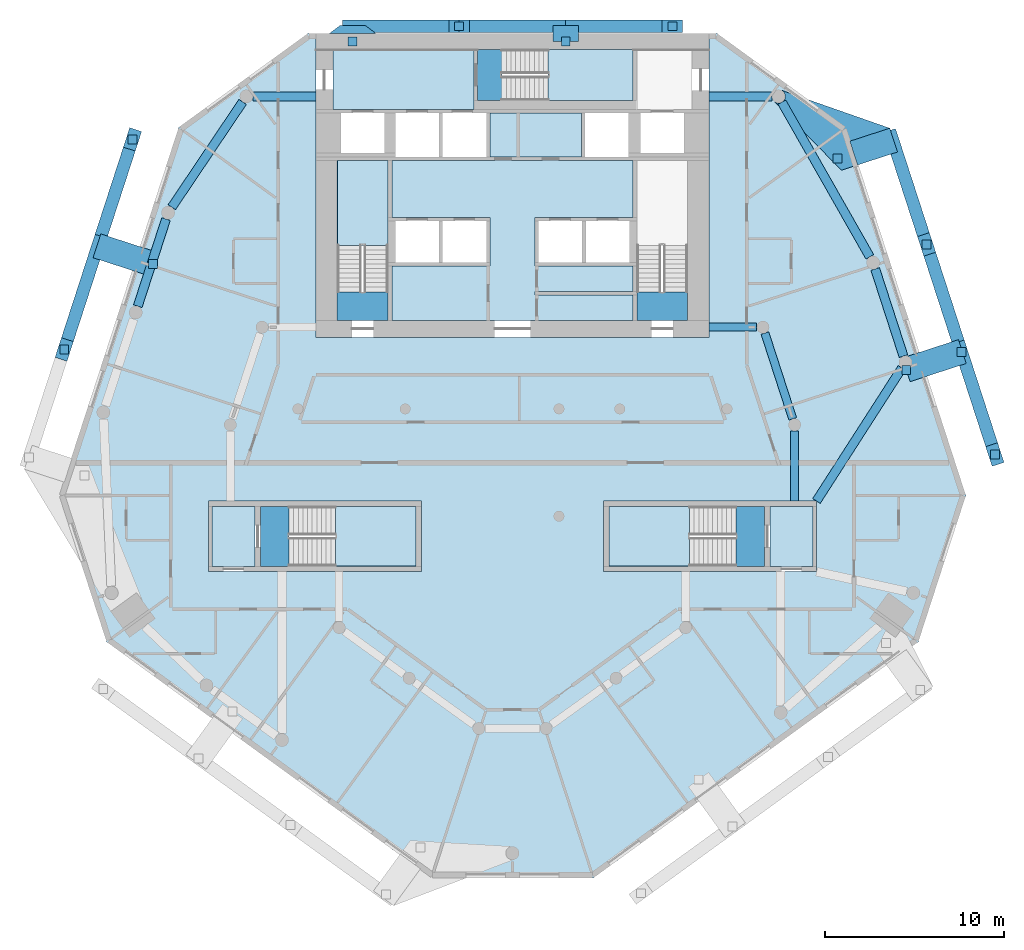
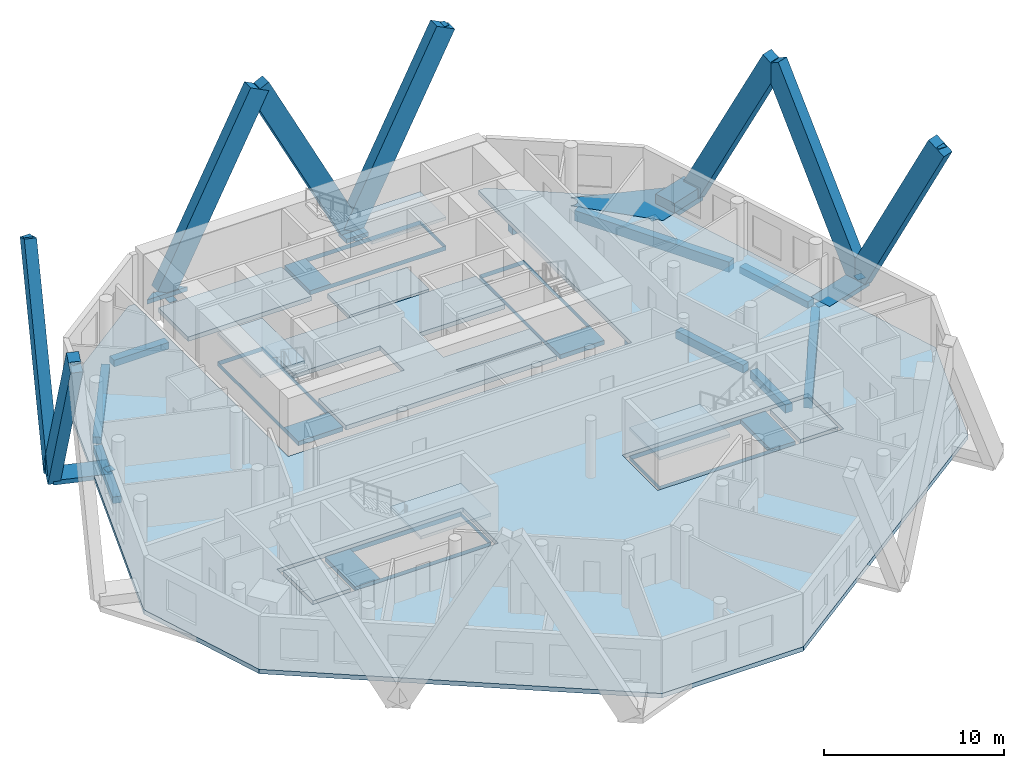
# One storey, part 2 of 10: 15 slabs, 14 members, 12 discrete accessories, 10 beams, 4 elements without a shape of their own.
"""IFC4 building model written with IfcOpenShell, lengths in metres."""

from ifc_helpers import new_model, si_unit, direction, frame, origin, origin_2d, place, context, subcontext, project, spatial, polyline, rectangle, outline, extrude, material, layer, layer_set, material_profile, profile_set, type_object, element, aggregate, save


model = new_model("IFC4")

# Units and contexts
model_context = context("Model", 3, precision=1e-05, world=origin(), true_north=direction((0.0, 1.0)))
body_context = subcontext(model_context, "Body", "Model", "MODEL_VIEW")
ifc_project = project(units=[si_unit("LENGTHUNIT", "METRE"), si_unit("AREAUNIT", "SQUARE_METRE"), si_unit("VOLUMEUNIT", "CUBIC_METRE"), si_unit("PLANEANGLEUNIT", "RADIAN"), si_unit("MASSUNIT", "GRAM", prefix="KILO")], contexts=[model_context])

# Site, building, storey
site_placement = place(None, origin())
site = spatial("IfcSite", under=ifc_project, at=site_placement, CompositionType="ELEMENT")
building_placement = place(site_placement, origin())
building = spatial("IfcBuilding", under=site, at=building_placement, Name="White Candle Pilgrim Tower", CompositionType="ELEMENT")
storey_placement = place(building_placement, frame((0.0, 0.0, 160.300048828125)))
storey = spatial("IfcBuildingStorey", under=building, at=storey_placement, Name="L36", CompositionType="ELEMENT", Elevation=160.300048828125)

# Member
ifc_material_1 = material(Name="Concrete C70/85, white", Category="concrete")
ifc_material_profile_1 = material_profile(ifc_material_1, rectangle(XDim=0.699951171875, YDim=1.300048828125, at=origin_2d()), Name="RC-DG 700x1300")
ifc_profile_set_1 = profile_set([ifc_material_profile_1], Name="Concrete C70/85, white")
member_type_1 = type_object("IfcMemberType", Name="Exoskeleton diagonal RC-DG 700x1300 C70/85", PredefinedType="BRACE", material=ifc_profile_set_1)
member_1_placement = place(storey_placement, frame((72.97900390625, 88.39990234375, 0.0), z_axis=(0.453783992732, 0.0, 0.891111714624), x_axis=(0.0, 1.0, 0.0)))
member_1 = element("IfcMember", 1, at=member_1_placement, inside=storey, type_object=member_type_1, Name="Exoskeleton diagonal EX124", PredefinedType="BRACE", context=body_context, shape_type="SweptSolid", body=[
    extrude(rectangle(XDim=0.699951171875, YDim=1.300048828125, at=origin_2d()), origin(), (0.0, 0.0, 1.0), 13.129638671875),
])

member_2_placement = place(storey_placement, frame((72.97900390625, 88.39990234375, 0.0), z_axis=(-0.453783992732, 0.0, 0.891111714624), x_axis=(0.0, -1.0, 0.0)))
member_2 = element("IfcMember", 2, at=member_2_placement, inside=storey, type_object=member_type_1, Name="Exoskeleton diagonal EX125", PredefinedType="BRACE", context=body_context, shape_type="SweptSolid", body=[
    extrude(rectangle(XDim=0.699951171875, YDim=1.300048828125, at=origin_2d()), origin(), (0.0, 0.0, 1.0), 13.129638671875),
])

member_3_placement = place(storey_placement, frame((61.06298828125, 88.39990234375, 0.0), z_axis=(0.453783992732, 0.0, 0.891111714624), x_axis=(0.0, 1.0, 0.0)))
element("IfcMember", 3, at=member_3_placement, inside=storey, type_object=member_type_1, Name="Exoskeleton diagonal EX126", PredefinedType="BRACE", context=body_context, shape_type="SweptSolid", body=[
    extrude(rectangle(XDim=0.699951171875, YDim=1.300048828125, at=origin_2d()), origin(), (0.0, 0.0, 1.0), 13.129638671875),
])

member_4_placement = place(storey_placement, frame((95.110595703125, 70.192626953125, 0.0), z_axis=(0.141705771197, -0.436168954473, 0.888637224948), x_axis=(0.951065559952, 0.308989159474, 0.0)))
member_4 = element("IfcMember", 4, at=member_4_placement, inside=storey, type_object=member_type_1, Name="Exoskeleton diagonal EX136", PredefinedType="BRACE", context=body_context, shape_type="SweptSolid", body=[
    extrude(rectangle(XDim=0.699951171875, YDim=1.300048828125, at=origin_2d()), origin(), (0.0, 0.0, 1.0), 13.166259765625),
])

member_5_placement = place(storey_placement, frame((95.110595703125, 70.192626953125, 0.0), z_axis=(-0.14680379718, 0.451795801077, 0.879959771389), x_axis=(-0.951052530363, -0.309029261543, 0.0)))
member_5 = element("IfcMember", 5, at=member_5_placement, inside=storey, type_object=member_type_1, Name="Exoskeleton diagonal EX137", PredefinedType="BRACE", context=body_context, shape_type="SweptSolid", body=[
    extrude(rectangle(XDim=0.699951171875, YDim=1.300048828125, at=origin_2d()), origin(), (0.0, 0.0, 1.0), 13.2958984375),
])

member_6_placement = place(storey_placement, frame((91.268310546875, 82.01708984375, 0.0), z_axis=(0.14318423744, -0.440629473038, 0.886196333573), x_axis=(0.951046973632, 0.30904636213, 0.0)))
element("IfcMember", 6, at=member_6_placement, inside=storey, type_object=member_type_1, Name="Exoskeleton diagonal EX138", PredefinedType="BRACE", context=body_context, shape_type="SweptSolid", body=[
    extrude(rectangle(XDim=0.699951171875, YDim=1.300048828125, at=origin_2d()), origin(), (0.0, 0.0, 1.0), 13.202392578125),
])

member_7_placement = place(storey_placement, frame((46.810546875, 76.10498046875, 0.0), z_axis=(0.146090322328, 0.449616181444, 0.88119402353), x_axis=(-0.951055789428, 0.309019231433, 0.0)))
member_7 = element("IfcMember", 7, at=member_7_placement, inside=storey, type_object=member_type_1, Name="Exoskeleton diagonal EX172", PredefinedType="BRACE", context=body_context, shape_type="SweptSolid", body=[
    extrude(rectangle(XDim=0.699951171875, YDim=1.300048828125, at=origin_2d()), origin(), (0.0, 0.0, 1.0), 13.27734375),
])

member_8_placement = place(storey_placement, frame((46.810546875, 76.10498046875, 0.0), z_axis=(-0.142437449306, -0.438404395777, 0.887419381577), x_axis=(0.951062109982, -0.308999778246, 0.0)))
member_8 = element("IfcMember", 8, at=member_8_placement, inside=storey, type_object=member_type_1, Name="Exoskeleton diagonal EX173", PredefinedType="BRACE", context=body_context, shape_type="SweptSolid", body=[
    extrude(rectangle(XDim=0.699951171875, YDim=1.300048828125, at=origin_2d()), origin(), (0.0, 0.0, 1.0), 13.184326171875),
])

ifc_layer_1 = layer(ifc_material_1, 0.300048828125)
ifc_layer_set_1 = layer_set([ifc_layer_1], Name="Node tie strut 3300x1400x300 C70/85")
member_type_2 = type_object("IfcMemberType", Name="Node tie strut 3300x1400x300 C70/85", PredefinedType="STRUT", material=ifc_layer_set_1)
member_9_placement = place(storey_placement, frame((93.5888671875, 69.697998046875, -0.30029296875), z_axis=(0.0, 0.0, 1.0), x_axis=(-0.309016994375, 0.951056516295, 0.0)))
member_9 = element("IfcMember", 9, at=member_9_placement, inside=storey, type_object=member_type_2, Name="Node tie strut NC111", PredefinedType="STRUT", context=body_context, shape_type="SweptSolid", body=[
    extrude(rectangle(XDim=1.39990234375, YDim=3.300048828125, at=origin_2d()), origin(), (0.0, 0.0, 1.0), 0.300048828125),
])

member_10_placement = place(storey_placement, frame((0.0, 0.0, -0.35009765625)))
member_10 = element("IfcMember", 10, at=member_10_placement, inside=storey, type_object=member_type_2, Name="Node tie strut NC112", PredefinedType="STRUT", context=body_context, shape_type="SweptSolid", body=[
    extrude(outline(polyline([(88.393798828125, 80.34716796875), (91.532470703125, 81.366943359375), (91.099609375, 82.698486328125), (85.00048828125, 84.835205078125), (85.0234375, 84.826416015625), (85.0458984375, 84.81640625), (85.0673828125, 84.8046875), (85.08837890625, 84.791748046875), (85.1083984375, 84.777587890625), (85.127197265625, 84.761962890625), (85.145263671875, 84.7451171875), (85.161865234375, 84.727294921875), (85.177490234375, 84.708251953125), (85.19189453125, 84.688232421875), (85.204833984375, 84.66748046875), (85.21630859375, 84.64599609375), (85.2265625, 84.62353515625), (85.235107421875, 84.6005859375), (85.2421875, 84.5771484375), (85.247802734375, 84.55322265625), (85.251708984375, 84.52880859375), (85.254150390625, 84.50439453125), (85.2548828125, 84.47998046875), (85.254150390625, 84.45556640625), (85.251708984375, 84.43115234375), (85.247802734375, 84.40673828125), (85.2421875, 84.3828125), (85.235107421875, 84.359619140625), (85.2265625, 84.33642578125), (85.21630859375, 84.314208984375), (85.204833984375, 84.29248046875), (85.19189453125, 84.271728515625), (85.177490234375, 84.251708984375), (85.161865234375, 84.232666015625), (85.145263671875, 84.21484375), (85.127197265625, 84.197998046875), (85.1083984375, 84.1826171875), (85.08837890625, 84.168212890625), (85.0673828125, 84.1552734375), (85.0458984375, 84.143798828125), (85.0234375, 84.133544921875), (85.00048828125, 84.125), (84.97705078125, 84.117919921875), (84.953125, 84.1123046875), (84.928955078125, 84.108154296875), (84.904541015625, 84.105712890625), (84.8798828125, 84.10498046875), (84.85546875, 84.105712890625), (84.8310546875, 84.108154296875), (84.806884765625, 84.1123046875), (84.782958984375, 84.117919921875), (84.759521484375, 84.125), (84.736572265625, 84.133544921875), (84.714111328125, 84.143798828125), (84.6923828125, 84.1552734375), (84.671630859375, 84.168212890625), (84.651611328125, 84.1826171875), (84.6328125, 84.197998046875), (84.61474609375, 84.21484375), (88.393798828125, 80.34716796875)])), origin(), (0.0, 0.0, 1.0), 0.35009765625),
])

member_11_placement = place(storey_placement, origin())
element("IfcMember", 11, at=member_11_placement, inside=storey, type_object=member_type_2, Name="Node tie strut NC112", PredefinedType="STRUT", context=body_context, shape_type="SweptSolid", body=[
    extrude(outline(polyline([(89.29736328125, 80.640625), (91.532470703125, 81.366943359375), (91.099609375, 82.698486328125), (88.86474609375, 81.97216796875), (89.29736328125, 80.640625)])), origin(), (0.0, 0.0, 1.0), 0.64990234375),
])

member_12_placement = place(storey_placement, frame((48.332275390625, 75.610595703125, -0.30029296875), z_axis=(0.0, 0.0, 1.0), x_axis=(-0.309016994375, -0.951056516295, 0.0)))
member_12 = element("IfcMember", 12, at=member_12_placement, inside=storey, type_object=member_type_2, Name="Node tie strut NC119", PredefinedType="STRUT", context=body_context, shape_type="SweptSolid", body=[
    extrude(rectangle(XDim=1.39990234375, YDim=3.300048828125, at=origin_2d()), origin(), (0.0, 0.0, 1.0), 0.300048828125),
])

ifc_layer_2 = layer(ifc_material_1, 0.300048828125)
ifc_layer_set_2 = layer_set([ifc_layer_2], Name="Node tie strut 900x1400x300 C70/85")
member_type_3 = type_object("IfcMemberType", Name="Node tie strut 900x1400x300 C70/85", PredefinedType="STRUT", material=ifc_layer_set_2)
member_13_placement = place(storey_placement, frame((72.97900390625, 88.0, -0.30029296875), z_axis=(0.0, 0.0, 1.0), x_axis=(-1.0, 0.0, 0.0)))
member_13 = element("IfcMember", 13, at=member_13_placement, inside=storey, type_object=member_type_3, Name="Node tie strut NC113", PredefinedType="STRUT", context=body_context, shape_type="SweptSolid", body=[
    extrude(rectangle(XDim=1.39990234375, YDim=0.89990234375, at=origin_2d()), origin(), (0.0, 0.0, 1.0), 0.300048828125),
])

member_14_placement = place(storey_placement, frame((0.0, 0.0, -0.300048828125)))
member_14 = element("IfcMember", 14, at=member_14_placement, inside=storey, type_object=member_type_3, Name="Node tie strut NC114", PredefinedType="STRUT", context=body_context, shape_type="SweptSolid", body=[
    extrude(outline(polyline([(59.762939453125, 88.0), (62.363037109375, 88.0), (61.762939453125, 88.449951171875), (60.363037109375, 88.449951171875), (59.762939453125, 88.0)])), origin(), (0.0, 0.0, 1.0), 0.300048828125),
])

# Beams
ifc_material_2 = material(Name="Concrete C50/60", Category="concrete")
ifc_material_profile_2 = material_profile(ifc_material_2, rectangle(XDim=0.449951171875, YDim=0.550048828125, at=origin_2d()), Name="RC-BM 450x550")
ifc_profile_set_2 = profile_set([ifc_material_profile_2], Name="Concrete C50/60")
beam_type_1 = type_object("IfcBeamType", Name="Ring beam RC-BM 450x550 C50/60", PredefinedType="BEAM", material=ifc_profile_set_2)
beam_1_placement = place(storey_placement, frame((85.780029296875, 65.760009765625, -0.574951171875), z_axis=(0.0, -1.0, 0.0), x_axis=(1.0, 0.0, 0.0)))
element("IfcBeam", 15, at=beam_1_placement, inside=storey, type_object=beam_type_1, Name="L36 ring beam R07", PredefinedType="BEAM", context=body_context, shape_type="SweptSolid", body=[
    extrude(rectangle(XDim=0.449951171875, YDim=0.550048828125, at=origin_2d()), origin(), (0.0, 0.0, 1.0), 3.909912109375),
])
beam_2_placement = place(storey_placement, frame((85.672119140625, 66.44287109375, -0.574951171875), z_axis=(-0.308369651752, 0.95126660715, 0.0), x_axis=(-0.95126660715, -0.308369651752, 0.0)))
element("IfcBeam", 16, at=beam_2_placement, inside=storey, type_object=beam_type_1, Name="L36 ring beam R08", PredefinedType="BEAM", context=body_context, shape_type="SweptSolid", body=[
    extrude(rectangle(XDim=0.449951171875, YDim=0.550048828125, at=origin_2d()), origin(), (0.0, 0.0, 1.0), 5.0400390625),
])
beam_3_placement = place(storey_placement, frame((83.659912109375, 71.570068359375, -0.574951171875), z_axis=(-1.0, 0.0, 0.0), x_axis=(0.0, -1.0, 0.0)))
element("IfcBeam", 17, at=beam_3_placement, inside=storey, type_object=beam_type_1, Name="L36 ring beam R09", PredefinedType="BEAM", context=body_context, shape_type="SweptSolid", body=[
    extrude(rectangle(XDim=0.449951171875, YDim=0.550048828125, at=origin_2d()), origin(), (0.0, 0.0, 1.0), 2.659912109375),
])
ifc_material_profile_3 = material_profile(ifc_material_2, rectangle(XDim=0.5, YDim=0.449951171875, at=origin_2d()), Name="RC-BM 500x450")
ifc_profile_set_3 = profile_set([ifc_material_profile_3], Name="Concrete C50/60")
beam_type_2 = type_object("IfcBeamType", Name="Spandrel beam RC-BM 500x450 C50/60", PredefinedType="BEAM", material=ifc_profile_set_3)
beam_4_placement = place(storey_placement, frame((91.8642578125, 69.95654296875, -0.525146484375), z_axis=(-0.308530369215, 0.951214492779, 0.0), x_axis=(-0.951214492779, -0.308530369215, 0.0)))
element("IfcBeam", 18, at=beam_4_placement, inside=storey, type_object=beam_type_2, Name="L36 spandrel beam T08", PredefinedType="BEAM", context=body_context, shape_type="SweptSolid", body=[
    extrude(rectangle(XDim=0.5, YDim=0.449951171875, at=origin_2d()), origin(), (0.0, 0.0, 1.0), 5.116455078125),
])
for number, where, z_axis, x_axis, name in (
    (19, (84.5048828125, 84.47998046875, -0.525146484375), (-1.0, 0.0, 0.0), (0.0, -1.0, 0.0), "L36 spandrel beam T10"),
    (20, (55.4951171875, 84.47998046875, -0.525146484375), (1.0, 0.0, 0.0), (0.0, 1.0, 0.0), "L36 spandrel beam T11"),
):
    element("IfcBeam", number, at=place(storey_placement, frame(where, z_axis=z_axis, x_axis=x_axis)), inside=storey, type_object=beam_type_2, Name=name, PredefinedType="BEAM", context=body_context, shape_type="SweptSolid", body=[
        extrude(rectangle(XDim=0.5, YDim=0.449951171875, at=origin_2d()), origin(), (0.0, 0.0, 1.0), 3.5048828125),
    ])
beam_5_placement = place(storey_placement, frame((54.91064453125, 84.1689453125, -0.525146484375), z_axis=(-0.55822018442, -0.82969285022, 0.0), x_axis=(0.82969285022, -0.55822018442, 0.0)))
element("IfcBeam", 21, at=beam_5_placement, inside=storey, type_object=beam_type_2, Name="L36 spandrel beam T12", PredefinedType="BEAM", context=body_context, shape_type="SweptSolid", body=[
    extrude(rectangle(XDim=0.5, YDim=0.449951171875, at=origin_2d()), origin(), (0.0, 0.0, 1.0), 7.096435546875),
])
beam_6_placement = place(storey_placement, frame((50.624267578125, 77.61328125, -0.525146484375), z_axis=(-0.308544373382, -0.951209950355, 0.0), x_axis=(0.951209950355, -0.308544373382, 0.0)))
element("IfcBeam", 22, at=beam_6_placement, inside=storey, type_object=beam_type_2, Name="L36 spandrel beam T13", PredefinedType="BEAM", context=body_context, shape_type="SweptSolid", body=[
    extrude(rectangle(XDim=0.5, YDim=0.449951171875, at=origin_2d()), origin(), (0.0, 0.0, 1.0), 5.1162109375),
])
ifc_material_profile_4 = material_profile(ifc_material_2, rectangle(XDim=0.5, YDim=0.699951171875, at=origin_2d()), Name="RC-BM 500x700")
ifc_profile_set_4 = profile_set([ifc_material_profile_4], Name="Concrete C50/60")
beam_type_3 = type_object("IfcBeamType", Name="Spandrel beam RC-BM 500x700 C50/60", PredefinedType="BEAM", material=ifc_profile_set_4)
beam_7_placement = place(storey_placement, frame((91.77734375, 69.28466796875, -0.650146484375), z_axis=(-0.540595612128, -0.841282582815, 0.0), x_axis=(0.841282582815, -0.540595612128, 0.0)))
element("IfcBeam", 23, at=beam_7_placement, inside=storey, type_object=beam_type_3, Name="L36 spandrel beam T07", PredefinedType="BEAM", context=body_context, shape_type="SweptSolid", body=[
    extrude(rectangle(XDim=0.5, YDim=0.699951171875, at=origin_2d()), origin(), (0.0, 0.0, 1.0), 8.837158203125),
])
beam_8_placement = place(storey_placement, frame((89.984619140625, 75.505859375, -0.650146484375), z_axis=(-0.494422929515, 0.869221471646, 0.0), x_axis=(-0.869221471646, -0.494422929515, 0.0)))
element("IfcBeam", 24, at=beam_8_placement, inside=storey, type_object=beam_type_3, Name="L36 spandrel beam T09", PredefinedType="BEAM", context=body_context, shape_type="SweptSolid", body=[
    extrude(rectangle(XDim=0.5, YDim=0.699951171875, at=origin_2d()), origin(), (0.0, 0.0, 1.0), 9.949462890625),
])

# Slabs
ifc_material_3 = material(Name="Concrete C40/50", Category="concrete")
ifc_layer_3 = layer(ifc_material_3, 0.300048828125)
ifc_layer_set_3 = layer_set([ifc_layer_3], Name="Core floor slab 300 mm Concrete C40/50")
slab_type_1 = type_object("IfcSlabType", Name="Core floor slab 300 mm Concrete C40/50", PredefinedType="FLOOR", material=ifc_layer_set_3)
slab_1_placement = place(storey_placement, frame((0.0, 0.0, -0.300048828125)))
element("IfcSlab", 25, at=slab_1_placement, inside=storey, type_object=slab_type_1, Name="CF-L36-01", PredefinedType="FLOOR", context=body_context, shape_type="SweptSolid", body=[
    extrude(outline(polyline([(55.60009765625, 58.199951171875), (53.199951171875, 58.199951171875), (53.199951171875, 61.550048828125), (55.60009765625, 61.550048828125), (55.60009765625, 58.199951171875)])), origin(), (0.0, 0.0, 1.0), 0.300048828125),
])
slab_2_placement = place(storey_placement, frame((0.0, 0.0, -0.300048828125)))
element("IfcSlab", 26, at=slab_2_placement, inside=storey, type_object=slab_type_1, Name="CF-L36-02", PredefinedType="FLOOR", context=body_context, shape_type="SweptSolid", body=[
    extrude(outline(polyline([(55.89990234375, 58.199951171875), (55.89990234375, 61.550048828125), (64.60009765625, 61.550048828125), (64.60009765625, 58.199951171875), (55.89990234375, 58.199951171875)]), holes=[polyline([(57.501953125, 61.548095703125), (57.501953125, 58.201904296875), (64.597900390625, 58.201904296875), (64.597900390625, 61.548095703125), (57.501953125, 61.548095703125)])]), origin(), (0.0, 0.0, 1.0), 0.300048828125),
])
slab_3_placement = place(storey_placement, frame((0.0, 0.0, -0.300048828125)))
element("IfcSlab", 27, at=slab_3_placement, inside=storey, type_object=slab_type_1, Name="CF-L36-03", PredefinedType="FLOOR", context=body_context, shape_type="SweptSolid", body=[
    extrude(outline(polyline([(75.39990234375, 58.199951171875), (75.39990234375, 61.550048828125), (84.10009765625, 61.550048828125), (84.10009765625, 58.199951171875), (75.39990234375, 58.199951171875)]), holes=[polyline([(82.498046875, 58.201904296875), (82.498046875, 61.548095703125), (75.402099609375, 61.548095703125), (75.402099609375, 58.201904296875), (82.498046875, 58.201904296875)])]), origin(), (0.0, 0.0, 1.0), 0.300048828125),
])
slab_4_placement = place(storey_placement, frame((0.0, 0.0, -0.300048828125)))
element("IfcSlab", 28, at=slab_4_placement, inside=storey, type_object=slab_type_1, Name="CF-L36-04", PredefinedType="FLOOR", context=body_context, shape_type="SweptSolid", body=[
    extrude(outline(polyline([(86.800048828125, 58.199951171875), (84.39990234375, 58.199951171875), (84.39990234375, 61.550048828125), (86.800048828125, 61.550048828125), (86.800048828125, 58.199951171875)])), origin(), (0.0, 0.0, 1.0), 0.300048828125),
])
slab_5_placement = place(storey_placement, frame((0.0, 0.0, -0.300048828125)))
element("IfcSlab", 29, at=slab_5_placement, inside=storey, type_object=slab_type_1, Name="CF-L36-05", PredefinedType="FLOOR", context=body_context, shape_type="SweptSolid", body=[
    extrude(outline(polyline([(76.75, 87.10009765625), (76.75, 87.050048828125), (76.75, 84.25), (68.050048828125, 84.25), (68.050048828125, 87.050048828125), (68.050048828125, 87.10009765625), (76.75, 87.10009765625)]), holes=[polyline([(69.402099609375, 87.097900390625), (69.402099609375, 84.251953125), (76.748046875, 84.251953125), (76.748046875, 87.097900390625), (69.402099609375, 87.097900390625)])]), origin(), (0.0, 0.0, 1.0), 0.300048828125),
])
slab_6_placement = place(storey_placement, frame((0.0, 0.0, -0.300048828125)))
element("IfcSlab", 30, at=slab_6_placement, inside=storey, type_object=slab_type_1, Name="CF-L36-07", PredefinedType="FLOOR", context=body_context, shape_type="SweptSolid", body=[
    extrude(outline(polyline([(76.949951171875, 71.949951171875), (76.949951171875, 73.375), (76.949951171875, 73.574951171875), (76.949951171875, 75.0), (76.949951171875, 75.199951171875), (76.949951171875, 77.5), (76.949951171875, 77.699951171875), (76.949951171875, 80.89990234375), (79.800048828125, 80.89990234375), (79.800048828125, 71.949951171875), (76.949951171875, 71.949951171875)]), holes=[polyline([(76.951904296875, 73.552001953125), (79.798095703125, 73.552001953125), (79.798095703125, 80.89794921875), (76.951904296875, 80.89794921875), (76.951904296875, 73.552001953125)])]), origin(), (0.0, 0.0, 1.0), 0.300048828125),
])
slab_7_placement = place(storey_placement, frame((0.0, 0.0, -0.300048828125)))
element("IfcSlab", 31, at=slab_7_placement, inside=storey, type_object=slab_type_1, Name="CF-L36-08", PredefinedType="FLOOR", context=body_context, shape_type="SweptSolid", body=[
    extrude(outline(polyline([(63.25, 71.949951171875), (63.25, 75.0), (68.75, 75.0), (68.75, 75.199951171875), (68.75, 77.5), (68.75, 77.699951171875), (63.25, 77.699951171875), (63.25, 80.89990234375), (76.75, 80.89990234375), (76.75, 77.699951171875), (71.25, 77.699951171875), (71.25, 77.5), (71.25, 75.199951171875), (71.25, 75.0), (76.75, 75.0), (76.75, 73.574951171875), (71.25, 73.574951171875), (71.25, 73.375), (76.75, 73.375), (76.75, 71.949951171875), (63.25, 71.949951171875)])), origin(), (0.0, 0.0, 1.0), 0.300048828125),
])
slab_8_placement = place(storey_placement, frame((0.0, 0.0, -0.300048828125)))
element("IfcSlab", 32, at=slab_8_placement, inside=storey, type_object=slab_type_1, Name="CF-L36-09", PredefinedType="FLOOR", context=body_context, shape_type="SweptSolid", body=[
    extrude(outline(polyline([(60.199951171875, 71.949951171875), (60.199951171875, 80.89990234375), (63.050048828125, 80.89990234375), (63.050048828125, 77.699951171875), (63.050048828125, 77.5), (63.050048828125, 75.199951171875), (63.050048828125, 75.0), (63.050048828125, 71.949951171875), (60.199951171875, 71.949951171875)]), holes=[polyline([(60.201904296875, 73.552001953125), (63.048095703125, 73.552001953125), (63.048095703125, 80.89794921875), (60.201904296875, 80.89794921875), (60.201904296875, 73.552001953125)])]), origin(), (0.0, 0.0, 1.0), 0.300048828125),
])
slab_9_placement = place(storey_placement, frame((0.0, 0.0, -0.300048828125)))
element("IfcSlab", 33, at=slab_9_placement, inside=storey, type_object=slab_type_1, Name="CF-L36-10", PredefinedType="FLOOR", context=body_context, shape_type="SweptSolid", body=[
    extrude(outline(polyline([(59.949951171875, 87.050048828125), (67.85009765625, 87.050048828125), (67.85009765625, 84.25), (67.85009765625, 83.75), (59.949951171875, 83.75), (59.949951171875, 87.050048828125)])), origin(), (0.0, 0.0, 1.0), 0.300048828125),
])
slab_10_placement = place(storey_placement, frame((0.0, 0.0, -0.300048828125)))
element("IfcSlab", 34, at=slab_10_placement, inside=storey, type_object=slab_type_1, Name="CF-L36-11", PredefinedType="FLOOR", context=body_context, shape_type="SweptSolid", body=[
    extrude(outline(polyline([(73.85009765625, 83.550048828125), (73.85009765625, 81.10009765625), (68.75, 81.10009765625), (68.75, 83.550048828125), (73.85009765625, 83.550048828125)])), origin(), (0.0, 0.0, 1.0), 0.300048828125),
])
ifc_layer_4 = layer(ifc_material_3, 0.300048828125)
ifc_layer_set_4 = layer_set([ifc_layer_4], Name="Floor slab 300 REI 120")
slab_type_2 = type_object("IfcSlabType", Name="Floor slab 300 REI 120", PredefinedType="FLOOR", material=ifc_layer_set_4)
slab_11_placement = place(storey_placement, frame((0.0, 0.0, -0.300048828125)))
element("IfcSlab", 35, at=slab_11_placement, inside=storey, type_object=slab_type_2, Name="L36 floor slab", PredefinedType="FLOOR", context=body_context, shape_type="SweptSolid", body=[
    extrude(outline(polyline([(65.47265625, 40.772216796875), (74.52734375, 40.772216796875), (92.6953125, 53.97216796875), (95.355224609375, 62.158447265625), (88.6650390625, 82.74853515625), (81.43701171875, 88.0), (81.0, 88.0), (81.0, 71.0), (59.0, 71.0), (59.0, 88.0), (58.56298828125, 88.0), (51.3349609375, 82.74853515625), (44.644775390625, 62.158447265625), (47.3046875, 53.97216796875), (65.47265625, 40.772216796875)]), holes=[polyline([(53.0, 57.89990234375), (53.0, 61.85009765625), (64.89990234375, 61.85009765625), (64.89990234375, 57.89990234375), (53.0, 57.89990234375)]), polyline([(75.10009765625, 57.89990234375), (75.10009765625, 61.85009765625), (87.0, 61.85009765625), (87.0, 57.89990234375), (75.10009765625, 57.89990234375)])]), origin(), (0.0, 0.0, 1.0), 0.300048828125),
])

# Stair, slab
stair_type_1 = type_object("IfcStairType", Name="Exit stair 1 flight width 1350 mm", PredefinedType="HALF_TURN_STAIR", material=ifc_material_3)
stair_1_placement = place(storey_placement, origin())
stair_1 = element("IfcStair", 36, at=stair_1_placement, inside=storey, type_object=stair_type_1, Name="L36 stair 1", PredefinedType="NOTDEFINED")
ifc_layer_5 = layer(ifc_material_3, 0.199951171875)
ifc_layer_set_5 = layer_set([ifc_layer_5], Name="Stair landing Concrete C40/50")
slab_type_3 = type_object("IfcSlabType", Name="Stair landing Concrete C40/50", PredefinedType="LANDING", material=ifc_layer_set_5)
slab_12_placement = place(storey_placement, frame((0.0, 0.0, 1.75)))
slab_12 = element("IfcSlab", 37, at=slab_12_placement, type_object=slab_type_3, Name="ST1 landing 1", PredefinedType="LANDING", context=body_context, shape_type="SweptSolid", body=[
    extrude(outline(polyline([(63.052001953125, 76.14794921875), (60.197998046875, 76.14794921875), (60.197998046875, 80.902099609375), (63.052001953125, 80.902099609375), (63.052001953125, 76.14794921875)])), origin(), (0.0, 0.0, 1.0), 0.199951171875),
])
aggregate(stair_1, [slab_12])

stair_type_2 = type_object("IfcStairType", Name="Exit stair 3 flight width 1350 mm", PredefinedType="HALF_TURN_STAIR", material=ifc_material_3)
stair_2_placement = place(storey_placement, origin())
stair_2 = element("IfcStair", 38, at=stair_2_placement, inside=storey, type_object=stair_type_2, Name="L36 stair 3", PredefinedType="NOTDEFINED")
slab_13_placement = place(storey_placement, frame((0.0, 0.0, 1.75)))
slab_13 = element("IfcSlab", 39, at=slab_13_placement, type_object=slab_type_3, Name="ST3 landing 1", PredefinedType="LANDING", context=body_context, shape_type="SweptSolid", body=[
    extrude(outline(polyline([(71.998046875, 84.248046875), (71.998046875, 87.10205078125), (76.751953125, 87.10205078125), (76.751953125, 84.248046875), (71.998046875, 84.248046875)])), origin(), (0.0, 0.0, 1.0), 0.199951171875),
])
aggregate(stair_2, [slab_13])

stair_type_3 = type_object("IfcStairType", Name="Exit stair 4 flight width 1600 mm", PredefinedType="HALF_TURN_STAIR", material=ifc_material_3)
stair_3_placement = place(storey_placement, origin())
stair_3 = element("IfcStair", 40, at=stair_3_placement, inside=storey, type_object=stair_type_3, Name="L36 stair 4", PredefinedType="NOTDEFINED")
slab_14_placement = place(storey_placement, frame((0.0, 0.0, 1.75)))
slab_14 = element("IfcSlab", 41, at=slab_14_placement, type_object=slab_type_3, Name="ST4 landing 1", PredefinedType="LANDING", context=body_context, shape_type="SweptSolid", body=[
    extrude(outline(polyline([(79.902099609375, 61.552001953125), (79.902099609375, 58.197998046875), (75.39794921875, 58.197998046875), (75.39794921875, 61.552001953125), (79.902099609375, 61.552001953125)])), origin(), (0.0, 0.0, 1.0), 0.199951171875),
])
aggregate(stair_3, [slab_14])

stair_type_4 = type_object("IfcStairType", Name="Exit stair 5 flight width 1600 mm", PredefinedType="HALF_TURN_STAIR", material=ifc_material_3)
stair_4_placement = place(storey_placement, origin())
stair_4 = element("IfcStair", 42, at=stair_4_placement, inside=storey, type_object=stair_type_4, Name="L36 stair 5", PredefinedType="NOTDEFINED")
slab_15_placement = place(storey_placement, frame((0.0, 0.0, 1.75)))
slab_15 = element("IfcSlab", 43, at=slab_15_placement, type_object=slab_type_3, Name="ST5 landing 1", PredefinedType="LANDING", context=body_context, shape_type="SweptSolid", body=[
    extrude(outline(polyline([(60.097900390625, 58.197998046875), (60.097900390625, 61.552001953125), (64.60205078125, 61.552001953125), (64.60205078125, 58.197998046875), (60.097900390625, 58.197998046875)])), origin(), (0.0, 0.0, 1.0), 0.199951171875),
])
aggregate(stair_4, [slab_15])

# Discrete accessory
ifc_material_4 = material(Name="Steel S355", Category="steel")
ifc_layer_6 = layer(ifc_material_4, 0.02490234375)
ifc_layer_set_6 = layer_set([ifc_layer_6], Name="Gusset plate 500x500x25 S355")
discrete_accessory_type = type_object("IfcDiscreteAccessoryType", Name="Gusset plate 500x500x25 S355", PredefinedType="BRACKET", material=ifc_layer_set_6)
placement = place(building_placement, frame((0.0, 0.0, 172.0)))
discrete_accessory_1_placement = place(placement, frame((78.93701171875, 88.39990234375, -0.012451171875), z_axis=(0.0, 0.0, 1.0), x_axis=(1.0, 0.0, 0.0)))
discrete_accessory_1 = element("IfcDiscreteAccessory", 44, at=discrete_accessory_1_placement, type_object=discrete_accessory_type, Name="Gusset plate 0140", PredefinedType="BRACKET", context=body_context, shape_type="SweptSolid", body=[
    extrude(rectangle(XDim=0.5, YDim=0.5, at=origin_2d()), origin(), (0.0, 0.0, 1.0), 0.02490234375),
])

aggregate(member_1, [discrete_accessory_1])

discrete_accessory_2_placement = place(placement, frame((67.02099609375, 88.39990234375, -0.012451171875), z_axis=(0.0, 0.0, 1.0), x_axis=(1.0, 0.0, 0.0)))
discrete_accessory_2 = element("IfcDiscreteAccessory", 45, at=discrete_accessory_2_placement, type_object=discrete_accessory_type, Name="Gusset plate 0141", PredefinedType="BRACKET", context=body_context, shape_type="SweptSolid", body=[
    extrude(rectangle(XDim=0.5, YDim=0.5, at=origin_2d()), origin(), (0.0, 0.0, 1.0), 0.02490234375),
])

aggregate(member_2, [discrete_accessory_2])

discrete_accessory_3_placement = place(storey_placement, frame((95.110595703125, 70.192626953125, -0.012451171875), z_axis=(0.0, 0.0, 1.0), x_axis=(1.0, 0.0, 0.0)))
discrete_accessory_3 = element("IfcDiscreteAccessory", 46, at=discrete_accessory_3_placement, type_object=discrete_accessory_type, Name="Gusset plate 0150", PredefinedType="BRACKET", context=body_context, shape_type="SweptSolid", body=[
    extrude(rectangle(XDim=0.5, YDim=0.5, at=origin_2d()), origin(), (0.0, 0.0, 1.0), 0.02490234375),
])

discrete_accessory_4_placement = place(placement, frame((96.976318359375, 64.449951171875, -0.012451171875), z_axis=(0.0, 0.0, 1.0), x_axis=(1.0, 0.0, 0.0)))
discrete_accessory_4 = element("IfcDiscreteAccessory", 47, at=discrete_accessory_4_placement, type_object=discrete_accessory_type, Name="Gusset plate 0151", PredefinedType="BRACKET", context=body_context, shape_type="SweptSolid", body=[
    extrude(rectangle(XDim=0.5, YDim=0.5, at=origin_2d()), origin(), (0.0, 0.0, 1.0), 0.02490234375),
])

aggregate(member_4, [discrete_accessory_3, discrete_accessory_4])

discrete_accessory_5_placement = place(placement, frame((93.15869140625, 76.19970703125, -0.012451171875), z_axis=(0.0, 0.0, 1.0), x_axis=(1.0, 0.0, 0.0)))
discrete_accessory_5 = element("IfcDiscreteAccessory", 48, at=discrete_accessory_5_placement, type_object=discrete_accessory_type, Name="Gusset plate 0152", PredefinedType="BRACKET", context=body_context, shape_type="SweptSolid", body=[
    extrude(rectangle(XDim=0.5, YDim=0.5, at=origin_2d()), origin(), (0.0, 0.0, 1.0), 0.02490234375),
])

aggregate(member_5, [discrete_accessory_5])

discrete_accessory_6_placement = place(placement, frame((48.750244140625, 82.07470703125, -0.012451171875), z_axis=(0.0, 0.0, 1.0), x_axis=(1.0, 0.0, 0.0)))
discrete_accessory_6 = element("IfcDiscreteAccessory", 49, at=discrete_accessory_6_placement, type_object=discrete_accessory_type, Name="Gusset plate 0197", PredefinedType="BRACKET", context=body_context, shape_type="SweptSolid", body=[
    extrude(rectangle(XDim=0.5, YDim=0.5, at=origin_2d()), origin(), (0.0, 0.0, 1.0), 0.02490234375),
])

aggregate(member_7, [discrete_accessory_6])

discrete_accessory_7_placement = place(placement, frame((44.9326171875, 70.324951171875, -0.012451171875), z_axis=(0.0, 0.0, 1.0), x_axis=(1.0, 0.0, 0.0)))
discrete_accessory_7 = element("IfcDiscreteAccessory", 50, at=discrete_accessory_7_placement, type_object=discrete_accessory_type, Name="Gusset plate 0198", PredefinedType="BRACKET", context=body_context, shape_type="SweptSolid", body=[
    extrude(rectangle(XDim=0.5, YDim=0.5, at=origin_2d()), origin(), (0.0, 0.0, 1.0), 0.02490234375),
])

aggregate(member_8, [discrete_accessory_7])

discrete_accessory_8_placement = place(storey_placement, frame((92.01953125, 69.188232421875, -0.16259765625), z_axis=(0.0, 0.0, 1.0), x_axis=(1.0, 0.0, 0.0)))
discrete_accessory_8 = element("IfcDiscreteAccessory", 51, at=discrete_accessory_8_placement, type_object=discrete_accessory_type, Name="Gusset plate 0492", PredefinedType="BRACKET", context=body_context, shape_type="SweptSolid", body=[
    extrude(rectangle(XDim=0.5, YDim=0.5, at=origin_2d()), origin(), (0.0, 0.0, 1.0), 0.02490234375),
])

aggregate(member_9, [discrete_accessory_8])

discrete_accessory_9_placement = place(storey_placement, frame((88.177490234375, 81.012939453125, -0.16259765625), z_axis=(0.0, 0.0, 1.0), x_axis=(1.0, 0.0, 0.0)))
discrete_accessory_9 = element("IfcDiscreteAccessory", 52, at=discrete_accessory_9_placement, type_object=discrete_accessory_type, Name="Gusset plate 0493", PredefinedType="BRACKET", context=body_context, shape_type="SweptSolid", body=[
    extrude(rectangle(XDim=0.5, YDim=0.5, at=origin_2d()), origin(), (0.0, 0.0, 1.0), 0.02490234375),
])

aggregate(member_10, [discrete_accessory_9])

discrete_accessory_10_placement = place(storey_placement, frame((72.97900390625, 87.550048828125, -0.16259765625), z_axis=(0.0, 0.0, 1.0), x_axis=(1.0, 0.0, 0.0)))
discrete_accessory_10 = element("IfcDiscreteAccessory", 53, at=discrete_accessory_10_placement, type_object=discrete_accessory_type, Name="Gusset plate 0494", PredefinedType="BRACKET", context=body_context, shape_type="SweptSolid", body=[
    extrude(rectangle(XDim=0.5, YDim=0.5, at=origin_2d()), origin(), (0.0, 0.0, 1.0), 0.02490234375),
])

aggregate(member_13, [discrete_accessory_10])

discrete_accessory_11_placement = place(storey_placement, frame((61.06298828125, 87.550048828125, -0.16259765625), z_axis=(0.0, 0.0, 1.0), x_axis=(1.0, 0.0, 0.0)))
discrete_accessory_11 = element("IfcDiscreteAccessory", 54, at=discrete_accessory_11_placement, type_object=discrete_accessory_type, Name="Gusset plate 0495", PredefinedType="BRACKET", context=body_context, shape_type="SweptSolid", body=[
    extrude(rectangle(XDim=0.5, YDim=0.5, at=origin_2d()), origin(), (0.0, 0.0, 1.0), 0.02490234375),
])

aggregate(member_14, [discrete_accessory_11])

discrete_accessory_12_placement = place(storey_placement, frame((49.9013671875, 75.1005859375, -0.16259765625), z_axis=(0.0, 0.0, 1.0), x_axis=(1.0, 0.0, 0.0)))
discrete_accessory_12 = element("IfcDiscreteAccessory", 55, at=discrete_accessory_12_placement, type_object=discrete_accessory_type, Name="Gusset plate 0500", PredefinedType="BRACKET", context=body_context, shape_type="SweptSolid", body=[
    extrude(rectangle(XDim=0.5, YDim=0.5, at=origin_2d()), origin(), (0.0, 0.0, 1.0), 0.02490234375),
])

aggregate(member_12, [discrete_accessory_12])

save(model, "model.ifc")
